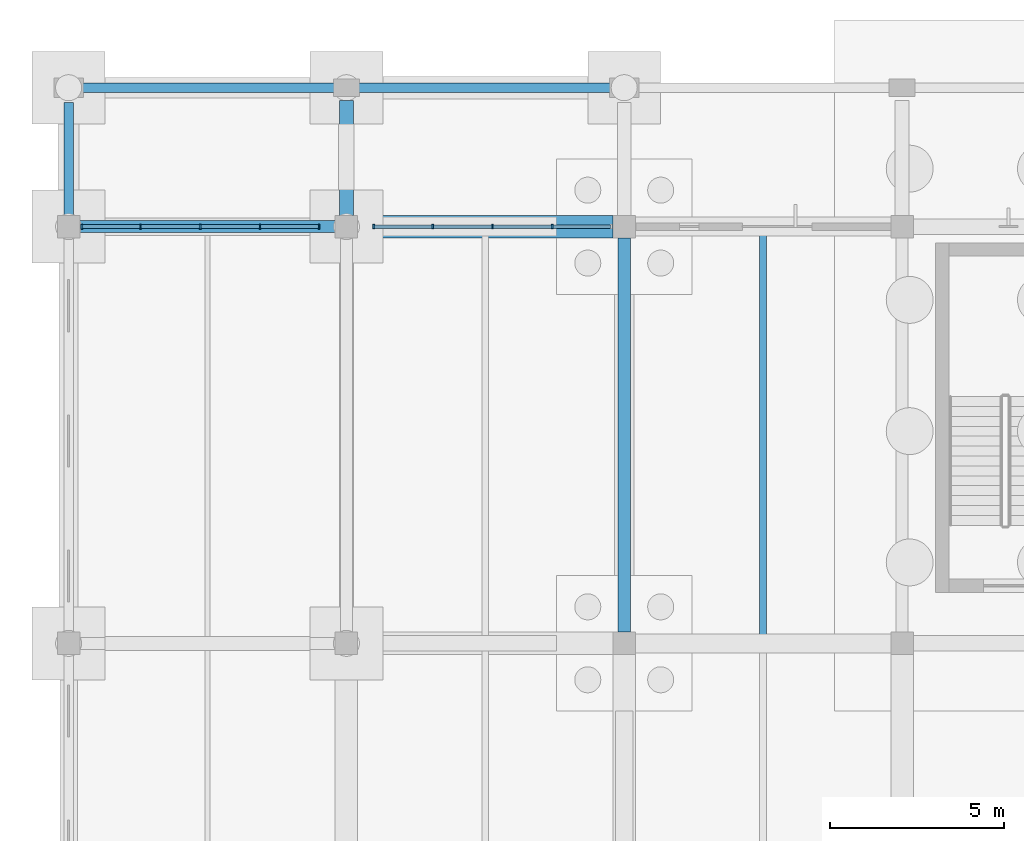
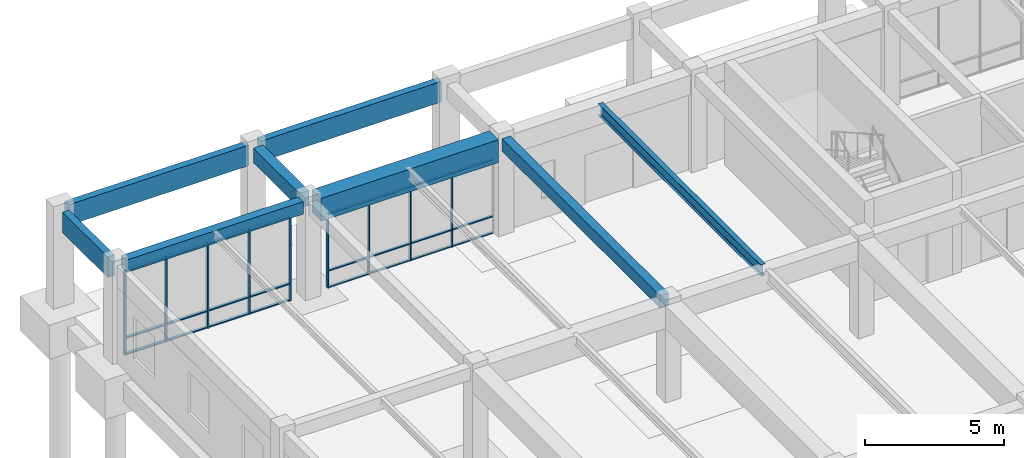
# One storey, part 28 of 84: 33 members, 8 beams, 2 elements without a shape of their own.
"""IFC4 building model written with IfcOpenShell, lengths in metres."""

from ifc_helpers import new_model, si_unit, direction, frame, origin, origin_2d, place, context, subcontext, project, spatial, rectangle, i_section, extrude, material, material_profile, profile_set, type_object, element, aggregate, save


model = new_model("IFC4")

# Units and contexts
model_context = context("Model", 3, precision=1e-05, world=origin(), true_north=direction((0.0, 1.0)))
body_context = subcontext(model_context, "Body", "Model", "MODEL_VIEW")
ifc_project = project(units=[si_unit("LENGTHUNIT", "METRE"), si_unit("AREAUNIT", "SQUARE_METRE"), si_unit("VOLUMEUNIT", "CUBIC_METRE"), si_unit("PLANEANGLEUNIT", "RADIAN"), si_unit("MASSUNIT", "GRAM", prefix="KILO")], contexts=[model_context])

# Site, building, storey
site_placement = place(None, origin())
site = spatial("IfcSite", under=ifc_project, at=site_placement, CompositionType="ELEMENT")
building_placement = place(site_placement, origin())
building = spatial("IfcBuilding", under=site, at=building_placement, Name="Larkveld Mobility Hub", CompositionType="ELEMENT")
storey_placement = place(building_placement, origin())
storey = spatial("IfcBuildingStorey", under=building, at=storey_placement, Name="L00", CompositionType="ELEMENT", Elevation=0.0)

# Beams
ifc_material_1 = material(Name="Concrete C40/50", Category="concrete")
ifc_material_profile_1 = material_profile(ifc_material_1, rectangle(XDim=0.35009765625, YDim=0.550048828125, at=origin_2d()), Name="RC BM 350x550")
ifc_profile_set_1 = profile_set([ifc_material_profile_1], Name="Concrete C40/50")
beam_type_1 = type_object("IfcBeamType", Name="BM-RC3555", PredefinedType="BEAM", material=ifc_profile_set_1)
beam_1_placement = place(storey_placement, frame((0.324951171875, 122.0, 3.985107421875), z_axis=(1.0, 0.0, 0.0), x_axis=(0.0, 1.0, 0.0)))
element("IfcBeam", 1, at=beam_1_placement, inside=storey, type_object=beam_type_1, Name="Primary E-W Girder L00-0084", PredefinedType="BEAM", context=body_context, shape_type="SweptSolid", body=[
    extrude(rectangle(XDim=0.35009765625, YDim=0.550048828125, at=origin_2d()), origin(), (0.0, 0.0, 1.0), 7.35009765625),
])
beam_2_placement = place(storey_placement, frame((16.0, 110.324951171875, 3.985107421875), z_axis=(0.0, 1.0, 0.0), x_axis=(-1.0, 0.0, 0.0)))
element("IfcBeam", 2, at=beam_2_placement, inside=storey, type_object=beam_type_1, Name="Primary N-S Girder L00-0122", PredefinedType="BEAM", context=body_context, shape_type="SweptSolid", body=[
    extrude(rectangle(XDim=0.35009765625, YDim=0.550048828125, at=origin_2d()), origin(), (0.0, 0.0, 1.0), 11.35009765625),
])
ifc_material_profile_2 = material_profile(ifc_material_1, rectangle(XDim=0.39990234375, YDim=0.64990234375, at=origin_2d()), Name="RC BM 400x650")
ifc_profile_set_2 = profile_set([ifc_material_profile_2], Name="Concrete C40/50")
beam_type_2 = type_object("IfcBeamType", Name="BM-RC4065", PredefinedType="BEAM", material=ifc_profile_set_2)
beam_3_placement = place(storey_placement, frame((8.0, 122.324951171875, 3.93505859375), z_axis=(0.0, 1.0, 0.0), x_axis=(-1.0, 0.0, 0.0)))
element("IfcBeam", 3, at=beam_3_placement, inside=storey, type_object=beam_type_2, Name="Primary N-S Girder L00-0120", PredefinedType="BEAM", context=body_context, shape_type="SweptSolid", body=[
    extrude(rectangle(XDim=0.39990234375, YDim=0.64990234375, at=origin_2d()), origin(), (0.0, 0.0, 1.0), 3.300048828125),
])
ifc_material_profile_3 = material_profile(ifc_material_1, rectangle(XDim=0.64990234375, YDim=1.0, at=origin_2d()), Name="RC BM 650x1000")
ifc_profile_set_3 = profile_set([ifc_material_profile_3], Name="Concrete C40/50")
beam_type_3 = type_object("IfcBeamType", Name="BM-RC65100", PredefinedType="BEAM", material=ifc_profile_set_3)
beam_4_placement = place(storey_placement, frame((8.324951171875, 122.0, 3.760009765625), z_axis=(1.0, 0.0, 0.0), x_axis=(0.0, 1.0, 0.0)))
element("IfcBeam", 4, at=beam_4_placement, inside=storey, type_object=beam_type_3, Name="Primary E-W Girder L00-0085", PredefinedType="BEAM", context=body_context, shape_type="SweptSolid", body=[
    extrude(rectangle(XDim=0.64990234375, YDim=1.0, at=origin_2d()), origin(), (0.0, 0.0, 1.0), 7.35009765625),
])
ifc_material_2 = material(Name="Precast concrete C50/60", Category="concrete")
ifc_material_profile_4 = material_profile(ifc_material_2, rectangle(XDim=0.280029296875, YDim=0.89990234375, at=origin_2d()), Name="PC SP 280x900")
ifc_profile_set_4 = profile_set([ifc_material_profile_4], Name="Precast concrete C50/60")
beam_type_4 = type_object("IfcBeamType", Name="BM-SP2890", PredefinedType="SPANDREL", material=ifc_profile_set_4)
for number, where, z_axis, x_axis, name in (
    (5, (0.27490234375, 126.0, 3.81005859375), (1.0, 0.0, 0.0), (0.0, 1.0, 0.0), "Primary E-W Girder L00-0096"),
    (6, (8.25, 126.0, 3.81005859375), (1.0, 0.0, 0.0), (0.0, 1.0, 0.0), "Primary E-W Girder L00-0097"),
):
    element("IfcBeam", number, at=place(storey_placement, frame(where, z_axis=z_axis, x_axis=x_axis)), inside=storey, type_object=beam_type_4, Name=name, PredefinedType="SPANDREL", context=body_context, shape_type="SweptSolid", body=[
        extrude(rectangle(XDim=0.280029296875, YDim=0.89990234375, at=origin_2d()), origin(), (0.0, 0.0, 1.0), 7.47509765625),
    ])
beam_5_placement = place(storey_placement, frame((0.0, 122.324951171875, 3.81005859375), z_axis=(0.0, 1.0, 0.0), x_axis=(-1.0, 0.0, 0.0)))
element("IfcBeam", 7, at=beam_5_placement, inside=storey, type_object=beam_type_4, Name="Primary N-S Girder L00-0117", PredefinedType="SPANDREL", context=body_context, shape_type="SweptSolid", body=[
    extrude(rectangle(XDim=0.280029296875, YDim=0.89990234375, at=origin_2d()), origin(), (0.0, 0.0, 1.0), 3.25),
])
ifc_material_3 = material(Name="Steel S355JR", Category="steel")
ifc_material_profile_5 = material_profile(ifc_material_3, i_section(OverallWidth=0.199951171875, OverallDepth=0.5, WebThickness=0.01025390625, FlangeThickness=0.01611328125, FilletRadius=0.02099609375, at=origin_2d()), Name="IPE 500")
ifc_profile_set_5 = profile_set([ifc_material_profile_5], Name="Steel S355JR")
beam_type_5 = type_object("IfcBeamType", Name="BM-STIPE500", PredefinedType="BEAM", material=ifc_profile_set_5)
beam_6_placement = place(storey_placement, frame((20.0, 110.169921875, 4.02001953125), z_axis=(0.0, 1.0, 0.0), x_axis=(-1.0, 0.0, 0.0)))
element("IfcBeam", 8, at=beam_6_placement, inside=storey, type_object=beam_type_5, Name="Bicycle Hall Secondary Beam L00-1165", PredefinedType="BEAM", context=body_context, shape_type="SweptSolid", body=[
    extrude(i_section(OverallWidth=0.199951171875, OverallDepth=0.5, WebThickness=0.01025390625, FlangeThickness=0.01611328125, FilletRadius=0.02099609375, at=origin_2d()), origin(), (0.0, 0.0, 1.0), 11.66015625),
])

# Curtain wall, members
ifc_material_4 = material(Name="Anodised aluminium 6063-T6", Category="aluminium")
curtain_wall_type_1 = type_object("IfcCurtainWallType", Name="CW-SYS-09", PredefinedType="NOTDEFINED", material=ifc_material_4)
curtain_wall_1_placement = place(storey_placement, origin())
curtain_wall_1 = element("IfcCurtainWall", 9, at=curtain_wall_1_placement, inside=storey, type_object=curtain_wall_type_1, Name="Bicycle Hall North Curtain Wall L00 CW-069", PredefinedType="NOTDEFINED")
ifc_material_profile_6 = material_profile(ifc_material_4, rectangle(XDim=0.050048828125, YDim=0.14990234375, at=origin_2d()), Name="ALU MULL 50x150")
ifc_profile_set_6 = profile_set([ifc_material_profile_6], Name="Anodised aluminium 6063-T6")
member_type_1 = type_object("IfcMemberType", Name="CW-MUL-01", PredefinedType="MULLION", material=ifc_profile_set_6)
member_1_placement = place(storey_placement, frame((7.2099609375, 122.0, -0.001953125), z_axis=(0.0, 0.0, 1.0), x_axis=(-1.0, 0.0, 0.0)))
member_1 = element("IfcMember", 10, at=member_1_placement, type_object=member_type_1, Name="CW09 mullion 1", PredefinedType="MULLION", context=body_context, shape_type="SweptSolid", body=[
    extrude(rectangle(XDim=0.050048828125, YDim=0.14990234375, at=origin_2d()), origin(), (0.0, 0.0, 1.0), 3.7119140625),
])
member_2_placement = place(storey_placement, frame((5.513916015625, 122.0, -0.001953125), z_axis=(0.0, 0.0, 1.0), x_axis=(-1.0, 0.0, 0.0)))
member_2 = element("IfcMember", 11, at=member_2_placement, type_object=member_type_1, Name="CW09 mullion 2", PredefinedType="MULLION", context=body_context, shape_type="SweptSolid", body=[
    extrude(rectangle(XDim=0.050048828125, YDim=0.14990234375, at=origin_2d()), origin(), (0.0, 0.0, 1.0), 3.7119140625),
])
member_3_placement = place(storey_placement, frame((3.7919921875, 122.0, -0.001953125), z_axis=(0.0, 0.0, 1.0), x_axis=(-1.0, 0.0, 0.0)))
member_3 = element("IfcMember", 12, at=member_3_placement, type_object=member_type_1, Name="CW09 mullion 3", PredefinedType="MULLION", context=body_context, shape_type="SweptSolid", body=[
    extrude(rectangle(XDim=0.050048828125, YDim=0.14990234375, at=origin_2d()), origin(), (0.0, 0.0, 1.0), 3.7119140625),
])
member_4_placement = place(storey_placement, frame((2.071044921875, 122.0, -0.001953125), z_axis=(0.0, 0.0, 1.0), x_axis=(-1.0, 0.0, 0.0)))
member_4 = element("IfcMember", 13, at=member_4_placement, type_object=member_type_1, Name="CW09 mullion 4", PredefinedType="MULLION", context=body_context, shape_type="SweptSolid", body=[
    extrude(rectangle(XDim=0.050048828125, YDim=0.14990234375, at=origin_2d()), origin(), (0.0, 0.0, 1.0), 3.7119140625),
])
member_5_placement = place(storey_placement, frame((0.375, 122.0, -0.001953125), z_axis=(0.0, 0.0, 1.0), x_axis=(-1.0, 0.0, 0.0)))
member_5 = element("IfcMember", 14, at=member_5_placement, type_object=member_type_1, Name="CW09 mullion 5", PredefinedType="MULLION", context=body_context, shape_type="SweptSolid", body=[
    extrude(rectangle(XDim=0.050048828125, YDim=0.14990234375, at=origin_2d()), origin(), (0.0, 0.0, 1.0), 3.7119140625),
])

curtain_wall_type_2 = type_object("IfcCurtainWallType", Name="CW-SYS-08", PredefinedType="NOTDEFINED", material=ifc_material_4)
curtain_wall_2_placement = place(storey_placement, origin())
curtain_wall_2 = element("IfcCurtainWall", 15, at=curtain_wall_2_placement, inside=storey, type_object=curtain_wall_type_2, Name="Bicycle Hall North Curtain Wall L00 CW-068", PredefinedType="NOTDEFINED")
ifc_material_profile_7 = material_profile(ifc_material_4, rectangle(XDim=0.050048828125, YDim=0.1298828125, at=origin_2d()), Name="ALU MULL 50x130")
ifc_profile_set_7 = profile_set([ifc_material_profile_7], Name="Anodised aluminium 6063-T6")
member_type_2 = type_object("IfcMemberType", Name="CW-MUL-04", PredefinedType="MULLION", material=ifc_profile_set_7)
member_6_placement = place(storey_placement, frame((13.928955078125, 122.0, -0.001953125), z_axis=(0.0, 0.0, 1.0), x_axis=(-1.0, 0.0, 0.0)))
member_6 = element("IfcMember", 16, at=member_6_placement, type_object=member_type_2, Name="CW08 mullion 2", PredefinedType="MULLION", context=body_context, shape_type="SweptSolid", body=[
    extrude(rectangle(XDim=0.050048828125, YDim=0.1298828125, at=origin_2d()), origin(), (0.0, 0.0, 1.0), 3.261962890625),
])
member_7_placement = place(storey_placement, frame((12.20703125, 122.0, -0.001953125), z_axis=(0.0, 0.0, 1.0), x_axis=(-1.0, 0.0, 0.0)))
member_7 = element("IfcMember", 17, at=member_7_placement, type_object=member_type_2, Name="CW08 mullion 3", PredefinedType="MULLION", context=body_context, shape_type="SweptSolid", body=[
    extrude(rectangle(XDim=0.050048828125, YDim=0.1298828125, at=origin_2d()), origin(), (0.0, 0.0, 1.0), 3.261962890625),
])
member_8_placement = place(storey_placement, frame((10.486083984375, 122.0, -0.001953125), z_axis=(0.0, 0.0, 1.0), x_axis=(-1.0, 0.0, 0.0)))
member_8 = element("IfcMember", 18, at=member_8_placement, type_object=member_type_2, Name="CW08 mullion 4", PredefinedType="MULLION", context=body_context, shape_type="SweptSolid", body=[
    extrude(rectangle(XDim=0.050048828125, YDim=0.1298828125, at=origin_2d()), origin(), (0.0, 0.0, 1.0), 3.261962890625),
])
member_9_placement = place(storey_placement, frame((8.7900390625, 122.0, -0.001953125), z_axis=(0.0, 0.0, 1.0), x_axis=(-1.0, 0.0, 0.0)))
member_9 = element("IfcMember", 19, at=member_9_placement, type_object=member_type_2, Name="CW08 mullion 5", PredefinedType="MULLION", context=body_context, shape_type="SweptSolid", body=[
    extrude(rectangle(XDim=0.050048828125, YDim=0.1298828125, at=origin_2d()), origin(), (0.0, 0.0, 1.0), 3.261962890625),
])

# Member
ifc_material_profile_8 = material_profile(ifc_material_4, rectangle(XDim=0.1201171875, YDim=0.050048828125, at=origin_2d()), Name="ALU TRAN 50x120")
ifc_profile_set_8 = profile_set([ifc_material_profile_8], Name="Anodised aluminium 6063-T6")
member_type_3 = type_object("IfcMemberType", Name="CW-TRN-01", PredefinedType="USERDEFINED", material=ifc_profile_set_8)
member_10_placement = place(storey_placement, frame((7.199951171875, 122.0, 0.030029296875), z_axis=(-1.0, 0.0, 0.0), x_axis=(0.0, -1.0, 0.0)))
member_10 = element("IfcMember", 20, at=member_10_placement, type_object=member_type_3, Name="CW09 transom 1.1", ObjectType="TRANSOM", PredefinedType="USERDEFINED", context=body_context, shape_type="SweptSolid", body=[
    extrude(rectangle(XDim=0.1201171875, YDim=0.050048828125, at=origin_2d()), origin(), (0.0, 0.0, 1.0), 1.6708984375),
])

member_11_placement = place(storey_placement, frame((7.199951171875, 122.0, 0.75), z_axis=(-1.0, 0.0, 0.0), x_axis=(0.0, -1.0, 0.0)))
member_11 = element("IfcMember", 21, at=member_11_placement, type_object=member_type_3, Name="CW09 transom 1.2", ObjectType="TRANSOM", PredefinedType="USERDEFINED", context=body_context, shape_type="SweptSolid", body=[
    extrude(rectangle(XDim=0.1201171875, YDim=0.050048828125, at=origin_2d()), origin(), (0.0, 0.0, 1.0), 1.6708984375),
])

member_12_placement = place(storey_placement, frame((7.199951171875, 122.0, 3.677978515625), z_axis=(-1.0, 0.0, 0.0), x_axis=(0.0, -1.0, 0.0)))
member_12 = element("IfcMember", 22, at=member_12_placement, type_object=member_type_3, Name="CW09 transom 1.3", ObjectType="TRANSOM", PredefinedType="USERDEFINED", context=body_context, shape_type="SweptSolid", body=[
    extrude(rectangle(XDim=0.1201171875, YDim=0.050048828125, at=origin_2d()), origin(), (0.0, 0.0, 1.0), 1.6708984375),
])

member_13_placement = place(storey_placement, frame((5.4990234375, 122.0, 0.030029296875), z_axis=(-1.0, 0.0, 0.0), x_axis=(0.0, -1.0, 0.0)))
member_13 = element("IfcMember", 23, at=member_13_placement, type_object=member_type_3, Name="CW09 transom 2.1", ObjectType="TRANSOM", PredefinedType="USERDEFINED", context=body_context, shape_type="SweptSolid", body=[
    extrude(rectangle(XDim=0.1201171875, YDim=0.050048828125, at=origin_2d()), origin(), (0.0, 0.0, 1.0), 1.69091796875),
])

member_14_placement = place(storey_placement, frame((5.4990234375, 122.0, 0.75), z_axis=(-1.0, 0.0, 0.0), x_axis=(0.0, -1.0, 0.0)))
member_14 = element("IfcMember", 24, at=member_14_placement, type_object=member_type_3, Name="CW09 transom 2.2", ObjectType="TRANSOM", PredefinedType="USERDEFINED", context=body_context, shape_type="SweptSolid", body=[
    extrude(rectangle(XDim=0.1201171875, YDim=0.050048828125, at=origin_2d()), origin(), (0.0, 0.0, 1.0), 1.69091796875),
])

member_15_placement = place(storey_placement, frame((5.4990234375, 122.0, 3.677978515625), z_axis=(-1.0, 0.0, 0.0), x_axis=(0.0, -1.0, 0.0)))
member_15 = element("IfcMember", 25, at=member_15_placement, type_object=member_type_3, Name="CW09 transom 2.3", ObjectType="TRANSOM", PredefinedType="USERDEFINED", context=body_context, shape_type="SweptSolid", body=[
    extrude(rectangle(XDim=0.1201171875, YDim=0.050048828125, at=origin_2d()), origin(), (0.0, 0.0, 1.0), 1.69091796875),
])

member_16_placement = place(storey_placement, frame((3.777099609375, 122.0, 0.030029296875), z_axis=(-1.0, 0.0, 0.0), x_axis=(0.0, -1.0, 0.0)))
member_16 = element("IfcMember", 26, at=member_16_placement, type_object=member_type_3, Name="CW09 transom 3.1", ObjectType="TRANSOM", PredefinedType="USERDEFINED", context=body_context, shape_type="SweptSolid", body=[
    extrude(rectangle(XDim=0.1201171875, YDim=0.050048828125, at=origin_2d()), origin(), (0.0, 0.0, 1.0), 1.691162109375),
])

member_17_placement = place(storey_placement, frame((3.777099609375, 122.0, 0.75), z_axis=(-1.0, 0.0, 0.0), x_axis=(0.0, -1.0, 0.0)))
member_17 = element("IfcMember", 27, at=member_17_placement, type_object=member_type_3, Name="CW09 transom 3.2", ObjectType="TRANSOM", PredefinedType="USERDEFINED", context=body_context, shape_type="SweptSolid", body=[
    extrude(rectangle(XDim=0.1201171875, YDim=0.050048828125, at=origin_2d()), origin(), (0.0, 0.0, 1.0), 1.691162109375),
])

member_18_placement = place(storey_placement, frame((3.777099609375, 122.0, 3.677978515625), z_axis=(-1.0, 0.0, 0.0), x_axis=(0.0, -1.0, 0.0)))
member_18 = element("IfcMember", 28, at=member_18_placement, type_object=member_type_3, Name="CW09 transom 3.3", ObjectType="TRANSOM", PredefinedType="USERDEFINED", context=body_context, shape_type="SweptSolid", body=[
    extrude(rectangle(XDim=0.1201171875, YDim=0.050048828125, at=origin_2d()), origin(), (0.0, 0.0, 1.0), 1.691162109375),
])

member_19_placement = place(storey_placement, frame((2.055908203125, 122.0, 0.030029296875), z_axis=(-1.0, 0.0, 0.0), x_axis=(0.0, -1.0, 0.0)))
member_19 = element("IfcMember", 29, at=member_19_placement, type_object=member_type_3, Name="CW09 transom 4.1", ObjectType="TRANSOM", PredefinedType="USERDEFINED", context=body_context, shape_type="SweptSolid", body=[
    extrude(rectangle(XDim=0.1201171875, YDim=0.050048828125, at=origin_2d()), origin(), (0.0, 0.0, 1.0), 1.6708984375),
])

member_20_placement = place(storey_placement, frame((2.055908203125, 122.0, 0.75), z_axis=(-1.0, 0.0, 0.0), x_axis=(0.0, -1.0, 0.0)))
member_20 = element("IfcMember", 30, at=member_20_placement, type_object=member_type_3, Name="CW09 transom 4.2", ObjectType="TRANSOM", PredefinedType="USERDEFINED", context=body_context, shape_type="SweptSolid", body=[
    extrude(rectangle(XDim=0.1201171875, YDim=0.050048828125, at=origin_2d()), origin(), (0.0, 0.0, 1.0), 1.6708984375),
])

member_21_placement = place(storey_placement, frame((2.055908203125, 122.0, 3.677978515625), z_axis=(-1.0, 0.0, 0.0), x_axis=(0.0, -1.0, 0.0)))
member_21 = element("IfcMember", 31, at=member_21_placement, type_object=member_type_3, Name="CW09 transom 4.3", ObjectType="TRANSOM", PredefinedType="USERDEFINED", context=body_context, shape_type="SweptSolid", body=[
    extrude(rectangle(XDim=0.1201171875, YDim=0.050048828125, at=origin_2d()), origin(), (0.0, 0.0, 1.0), 1.6708984375),
])

aggregate(curtain_wall_1, [member_1, member_2, member_3, member_4, member_5, member_10, member_11, member_12, member_13, member_14, member_15, member_16, member_17, member_18, member_19, member_20, member_21])

ifc_material_profile_9 = material_profile(ifc_material_4, rectangle(XDim=0.10009765625, YDim=0.050048828125, at=origin_2d()), Name="ALU TRAN 50x100")
ifc_profile_set_9 = profile_set([ifc_material_profile_9], Name="Anodised aluminium 6063-T6")
member_type_4 = type_object("IfcMemberType", Name="CW-TRN-04", PredefinedType="USERDEFINED", material=ifc_profile_set_9)
member_22_placement = place(storey_placement, frame((15.614990234375, 122.0, 0.030029296875), z_axis=(-1.0, 0.0, 0.0), x_axis=(0.0, -1.0, 0.0)))
member_22 = element("IfcMember", 32, at=member_22_placement, type_object=member_type_4, Name="CW08 transom 1.1", ObjectType="TRANSOM", PredefinedType="USERDEFINED", context=body_context, shape_type="SweptSolid", body=[
    extrude(rectangle(XDim=0.10009765625, YDim=0.050048828125, at=origin_2d()), origin(), (0.0, 0.0, 1.0), 1.6708984375),
])

member_23_placement = place(storey_placement, frame((15.614990234375, 122.0, 0.75), z_axis=(-1.0, 0.0, 0.0), x_axis=(0.0, -1.0, 0.0)))
member_23 = element("IfcMember", 33, at=member_23_placement, type_object=member_type_4, Name="CW08 transom 1.2", ObjectType="TRANSOM", PredefinedType="USERDEFINED", context=body_context, shape_type="SweptSolid", body=[
    extrude(rectangle(XDim=0.10009765625, YDim=0.050048828125, at=origin_2d()), origin(), (0.0, 0.0, 1.0), 1.6708984375),
])

member_24_placement = place(storey_placement, frame((15.614990234375, 122.0, 3.22802734375), z_axis=(-1.0, 0.0, 0.0), x_axis=(0.0, -1.0, 0.0)))
member_24 = element("IfcMember", 34, at=member_24_placement, type_object=member_type_4, Name="CW08 transom 1.3", ObjectType="TRANSOM", PredefinedType="USERDEFINED", context=body_context, shape_type="SweptSolid", body=[
    extrude(rectangle(XDim=0.10009765625, YDim=0.050048828125, at=origin_2d()), origin(), (0.0, 0.0, 1.0), 1.6708984375),
])

member_25_placement = place(storey_placement, frame((13.9140625, 122.0, 0.030029296875), z_axis=(-1.0, 0.0, 0.0), x_axis=(0.0, -1.0, 0.0)))
member_25 = element("IfcMember", 35, at=member_25_placement, type_object=member_type_4, Name="CW08 transom 2.1", ObjectType="TRANSOM", PredefinedType="USERDEFINED", context=body_context, shape_type="SweptSolid", body=[
    extrude(rectangle(XDim=0.10009765625, YDim=0.050048828125, at=origin_2d()), origin(), (0.0, 0.0, 1.0), 1.691162109375),
])

member_26_placement = place(storey_placement, frame((13.9140625, 122.0, 0.75), z_axis=(-1.0, 0.0, 0.0), x_axis=(0.0, -1.0, 0.0)))
member_26 = element("IfcMember", 36, at=member_26_placement, type_object=member_type_4, Name="CW08 transom 2.2", ObjectType="TRANSOM", PredefinedType="USERDEFINED", context=body_context, shape_type="SweptSolid", body=[
    extrude(rectangle(XDim=0.10009765625, YDim=0.050048828125, at=origin_2d()), origin(), (0.0, 0.0, 1.0), 1.691162109375),
])

member_27_placement = place(storey_placement, frame((13.9140625, 122.0, 3.22802734375), z_axis=(-1.0, 0.0, 0.0), x_axis=(0.0, -1.0, 0.0)))
member_27 = element("IfcMember", 37, at=member_27_placement, type_object=member_type_4, Name="CW08 transom 2.3", ObjectType="TRANSOM", PredefinedType="USERDEFINED", context=body_context, shape_type="SweptSolid", body=[
    extrude(rectangle(XDim=0.10009765625, YDim=0.050048828125, at=origin_2d()), origin(), (0.0, 0.0, 1.0), 1.691162109375),
])

member_28_placement = place(storey_placement, frame((12.19189453125, 122.0, 0.030029296875), z_axis=(-1.0, 0.0, 0.0), x_axis=(0.0, -1.0, 0.0)))
member_28 = element("IfcMember", 38, at=member_28_placement, type_object=member_type_4, Name="CW08 transom 3.1", ObjectType="TRANSOM", PredefinedType="USERDEFINED", context=body_context, shape_type="SweptSolid", body=[
    extrude(rectangle(XDim=0.10009765625, YDim=0.050048828125, at=origin_2d()), origin(), (0.0, 0.0, 1.0), 1.69091796875),
])

member_29_placement = place(storey_placement, frame((12.19189453125, 122.0, 0.75), z_axis=(-1.0, 0.0, 0.0), x_axis=(0.0, -1.0, 0.0)))
member_29 = element("IfcMember", 39, at=member_29_placement, type_object=member_type_4, Name="CW08 transom 3.2", ObjectType="TRANSOM", PredefinedType="USERDEFINED", context=body_context, shape_type="SweptSolid", body=[
    extrude(rectangle(XDim=0.10009765625, YDim=0.050048828125, at=origin_2d()), origin(), (0.0, 0.0, 1.0), 1.69091796875),
])

member_30_placement = place(storey_placement, frame((12.19189453125, 122.0, 3.22802734375), z_axis=(-1.0, 0.0, 0.0), x_axis=(0.0, -1.0, 0.0)))
member_30 = element("IfcMember", 40, at=member_30_placement, type_object=member_type_4, Name="CW08 transom 3.3", ObjectType="TRANSOM", PredefinedType="USERDEFINED", context=body_context, shape_type="SweptSolid", body=[
    extrude(rectangle(XDim=0.10009765625, YDim=0.050048828125, at=origin_2d()), origin(), (0.0, 0.0, 1.0), 1.69091796875),
])

member_31_placement = place(storey_placement, frame((10.470947265625, 122.0, 0.030029296875), z_axis=(-1.0, 0.0, 0.0), x_axis=(0.0, -1.0, 0.0)))
member_31 = element("IfcMember", 41, at=member_31_placement, type_object=member_type_4, Name="CW08 transom 4.1", ObjectType="TRANSOM", PredefinedType="USERDEFINED", context=body_context, shape_type="SweptSolid", body=[
    extrude(rectangle(XDim=0.10009765625, YDim=0.050048828125, at=origin_2d()), origin(), (0.0, 0.0, 1.0), 1.6708984375),
])

member_32_placement = place(storey_placement, frame((10.470947265625, 122.0, 0.75), z_axis=(-1.0, 0.0, 0.0), x_axis=(0.0, -1.0, 0.0)))
member_32 = element("IfcMember", 42, at=member_32_placement, type_object=member_type_4, Name="CW08 transom 4.2", ObjectType="TRANSOM", PredefinedType="USERDEFINED", context=body_context, shape_type="SweptSolid", body=[
    extrude(rectangle(XDim=0.10009765625, YDim=0.050048828125, at=origin_2d()), origin(), (0.0, 0.0, 1.0), 1.6708984375),
])

member_33_placement = place(storey_placement, frame((10.470947265625, 122.0, 3.22802734375), z_axis=(-1.0, 0.0, 0.0), x_axis=(0.0, -1.0, 0.0)))
member_33 = element("IfcMember", 43, at=member_33_placement, type_object=member_type_4, Name="CW08 transom 4.3", ObjectType="TRANSOM", PredefinedType="USERDEFINED", context=body_context, shape_type="SweptSolid", body=[
    extrude(rectangle(XDim=0.10009765625, YDim=0.050048828125, at=origin_2d()), origin(), (0.0, 0.0, 1.0), 1.6708984375),
])

aggregate(curtain_wall_2, [member_6, member_7, member_8, member_9, member_22, member_23, member_24, member_25, member_26, member_27, member_28, member_29, member_30, member_31, member_32, member_33])

save(model, "model.ifc")
